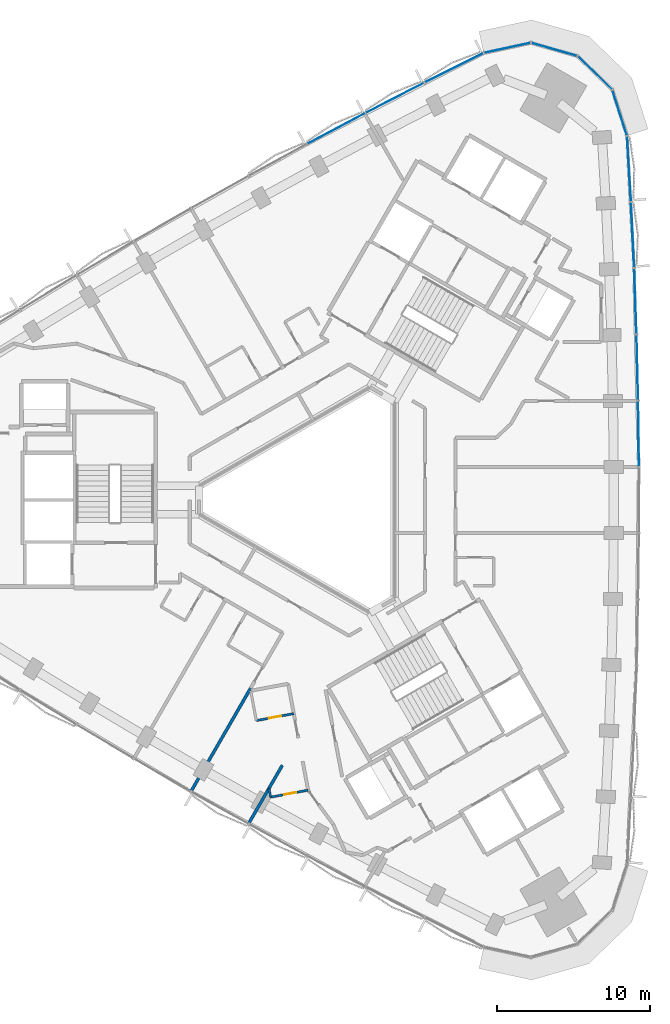
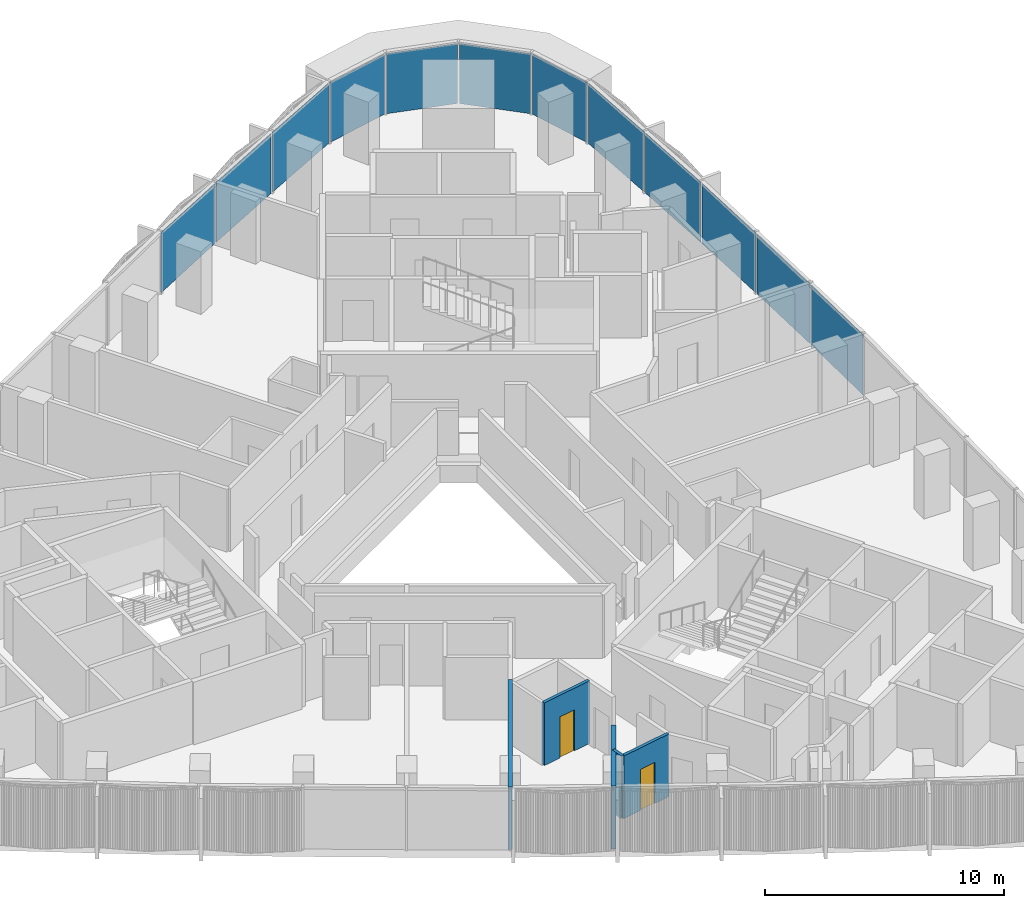
# One storey, part 7 of 15: 12 plates, 5 walls, 2 doors, 2 openings, 2 elements without a shape of their own.
"""IFC4 building model written with IfcOpenShell, lengths in metres."""

from ifc_helpers import new_model, si_unit, direction, frame, frame_2d, origin, origin_2d, place, context, subcontext, project, spatial, rectangle, extrude, material, layer, layer_set, type_object, element, fill, aggregate, save


model = new_model("IFC4")

# Units and contexts
model_context = context("Model", 3, precision=1e-05, world=origin(), true_north=direction((0.0, 1.0)))
body_context = subcontext(model_context, "Body", "Model", "MODEL_VIEW")
ifc_project = project(units=[si_unit("LENGTHUNIT", "METRE"), si_unit("AREAUNIT", "SQUARE_METRE"), si_unit("VOLUMEUNIT", "CUBIC_METRE"), si_unit("PLANEANGLEUNIT", "RADIAN"), si_unit("MASSUNIT", "GRAM", prefix="KILO")], contexts=[model_context])

# Site, building, storey
site_placement = place(None, origin())
site = spatial("IfcSite", under=ifc_project, at=site_placement, CompositionType="ELEMENT")
building_placement = place(site_placement, origin())
building = spatial("IfcBuilding", under=site, at=building_placement, Name="Tamra Quay Hotel Tower", CompositionType="ELEMENT")
storey_placement = place(building_placement, frame((0.0, 0.0, 136.0)))
storey = spatial("IfcBuildingStorey", under=building, at=storey_placement, Name="L33", CompositionType="ELEMENT", Elevation=136.0)

# Curtain wall, plates
ifc_material_1 = material(Name="Aluminium 6063 anodised dark grey", Category="aluminium")
curtain_wall_type_1 = type_object("IfcCurtainWallType", Name="CW1 CURTAIN WALL", PredefinedType="NOTDEFINED", material=ifc_material_1)
curtain_wall_1_placement = place(storey_placement, origin())
curtain_wall_1 = element("IfcCurtainWall", 1, at=curtain_wall_1_placement, inside=storey, type_object=curtain_wall_type_1, Name="CW1 east face L33", PredefinedType="NOTDEFINED")
ifc_material_2 = material(Name="Glass clear laminated low-iron", Category="glass")
ifc_layer_1 = layer(ifc_material_2, 0.031982421875)
ifc_layer_set_1 = layer_set([ifc_layer_1], Name="GLASS PANEL CW1 Z3")
plate_type_1 = type_object("IfcPlateType", Name="GLASS PANEL CW1 Z3", PredefinedType="CURTAIN_PANEL", material=ifc_layer_set_1)
plate_1_placement = place(storey_placement, frame((20.793701171875, 4.342041015625, 0.0), z_axis=(0.0, 0.0, 1.0), x_axis=(-0.011957026787, 0.9999285122, 0.0)))
plate_1 = element("IfcPlate", 2, at=plate_1_placement, type_object=plate_type_1, Name="CW1 glass L33.E.7", PredefinedType="CURTAIN_PANEL", context=body_context, shape_type="SweptSolid", body=[
    extrude(rectangle(XDim=4.24169921875, YDim=0.031982421875, at=origin_2d()), origin(), (0.0, 0.0, 1.0), 3.06005859375),
])
plate_2_placement = place(storey_placement, frame((20.716064453125, 8.683349609375, 0.0), z_axis=(0.0, 0.0, 1.0), x_axis=(-0.023896183128, 0.999714445445, 0.0)))
plate_2 = element("IfcPlate", 3, at=plate_2_placement, type_object=plate_type_1, Name="CW1 glass L33.E.8", PredefinedType="CURTAIN_PANEL", context=body_context, shape_type="SweptSolid", body=[
    extrude(rectangle(XDim=4.24267578125, YDim=0.031982421875, at=origin_2d()), origin(), (0.0, 0.0, 1.0), 3.06005859375),
])
plate_3_placement = place(storey_placement, frame((20.586181640625, 13.02392578125, 0.0), z_axis=(0.0, 0.0, 1.0), x_axis=(-0.03584493651, 0.999357363773, 0.0)))
plate_3 = element("IfcPlate", 4, at=plate_3_placement, type_object=plate_type_1, Name="CW1 glass L33.E.9", PredefinedType="CURTAIN_PANEL", context=body_context, shape_type="SweptSolid", body=[
    extrude(rectangle(XDim=4.24267578125, YDim=0.031982421875, at=origin_2d()), origin(), (0.0, 0.0, 1.0), 3.06005859375),
])
plate_4_placement = place(storey_placement, frame((20.40478515625, 17.3623046875, 0.0), z_axis=(0.0, 0.0, 1.0), x_axis=(-0.04774710654, 0.998859456489, 0.0)))
plate_4 = element("IfcPlate", 5, at=plate_4_placement, type_object=plate_type_1, Name="CW1 glass L33.E.10", PredefinedType="CURTAIN_PANEL", context=body_context, shape_type="SweptSolid", body=[
    extrude(rectangle(XDim=4.24169921875, YDim=0.031982421875, at=origin_2d()), origin(), (0.0, 0.0, 1.0), 3.06005859375),
])
plate_5_placement = place(storey_placement, frame((20.171630859375, 21.697998046875, 0.0), z_axis=(0.0, 0.0, 1.0), x_axis=(-0.05964191564, 0.998219836458, 0.0)))
plate_5 = element("IfcPlate", 6, at=plate_5_placement, type_object=plate_type_1, Name="CW1 glass L33.E.11", PredefinedType="CURTAIN_PANEL", context=body_context, shape_type="SweptSolid", body=[
    extrude(rectangle(XDim=4.2421875, YDim=0.031982421875, at=origin_2d()), origin(), (0.0, 0.0, 1.0), 3.06005859375),
])
plate_6_placement = place(storey_placement, frame((19.55712890625, 25.374267578125, 0.0), z_axis=(0.0, 0.0, 1.0), x_axis=(-0.305914777883, 0.952058899792, 0.0)))
plate_6 = element("IfcPlate", 7, at=plate_6_placement, type_object=plate_type_1, Name="CW1 glass L33.E.12", PredefinedType="CURTAIN_PANEL", context=body_context, shape_type="SweptSolid", body=[
    extrude(rectangle(XDim=3.0703125, YDim=0.031982421875, at=origin_2d()), origin(), (0.0, 0.0, 1.0), 3.06005859375),
])
plate_7_placement = place(storey_placement, frame((17.93310546875, 27.98583984375, 0.0), z_axis=(0.0, 0.0, 1.0), x_axis=(-0.718584480635, 0.695439676888, 0.0)))
plate_7 = element("IfcPlate", 8, at=plate_7_placement, type_object=plate_type_1, Name="CW1 glass L33.E.13", PredefinedType="CURTAIN_PANEL", context=body_context, shape_type="SweptSolid", body=[
    extrude(rectangle(XDim=3.0703125, YDim=0.031982421875, at=origin_2d()), origin(), (0.0, 0.0, 1.0), 3.06005859375),
])
plate_8_placement = place(storey_placement, frame((15.269775390625, 29.5234375, 0.0), z_axis=(0.0, 0.0, 1.0), x_axis=(-0.961560667302, 0.274592576551, 0.0)))
plate_8 = element("IfcPlate", 9, at=plate_8_placement, type_object=plate_type_1, Name="CW1 glass L33.E.14", PredefinedType="CURTAIN_PANEL", context=body_context, shape_type="SweptSolid", body=[
    extrude(rectangle(XDim=3.0703125, YDim=0.031982421875, at=origin_2d()), origin(), (0.0, 0.0, 1.0), 3.06005859375),
])
plate_9_placement = place(storey_placement, frame((12.196044921875, 29.624267578125, 0.0), z_axis=(0.0, 0.0, 1.0), x_axis=(-0.97746458206, -0.211099480856, 0.0)))
plate_9 = element("IfcPlate", 10, at=plate_9_placement, type_object=plate_type_1, Name="CW1 glass L33.E.15", PredefinedType="CURTAIN_PANEL", context=body_context, shape_type="SweptSolid", body=[
    extrude(rectangle(XDim=3.0703125, YDim=0.031982421875, at=origin_2d()), origin(), (0.0, 0.0, 1.0), 3.06005859375),
])
aggregate(curtain_wall_1, [plate_1, plate_2, plate_3, plate_4, plate_5, plate_6, plate_7, plate_8, plate_9])

curtain_wall_type_2 = type_object("IfcCurtainWallType", Name="CW2 CURTAIN WALL", PredefinedType="NOTDEFINED", material=ifc_material_1)
curtain_wall_2_placement = place(storey_placement, origin())
curtain_wall_2 = element("IfcCurtainWall", 11, at=curtain_wall_2_placement, inside=storey, type_object=curtain_wall_type_2, Name="CW2 north-west face L33", PredefinedType="NOTDEFINED")
ifc_layer_2 = layer(ifc_material_2, 0.031982421875)
ifc_layer_set_2 = layer_set([ifc_layer_2], Name="GLASS PANEL CW2 Z3")
plate_type_2 = type_object("IfcPlateType", Name="GLASS PANEL CW2 Z3", PredefinedType="CURTAIN_PANEL", material=ifc_layer_set_2)
plate_10_placement = place(storey_placement, frame((8.705078125, 28.318115234375, 0.0), z_axis=(0.0, 0.0, 1.0), x_axis=(-0.894304694754, -0.447458504155, 0.0)))
plate_10 = element("IfcPlate", 12, at=plate_10_placement, type_object=plate_type_2, Name="CW2 glass L33.NW.1", PredefinedType="CURTAIN_PANEL", context=body_context, shape_type="SweptSolid", body=[
    extrude(rectangle(XDim=4.2421875, YDim=0.031982421875, at=origin_2d()), origin(), (0.0, 0.0, 1.0), 3.06005859375),
])
plate_11_placement = place(storey_placement, frame((4.833740234375, 26.352294921875, 0.0), z_axis=(0.0, 0.0, 1.0), x_axis=(-0.8889112174, -0.458079521023, 0.0)))
plate_11 = element("IfcPlate", 13, at=plate_11_placement, type_object=plate_type_2, Name="CW2 glass L33.NW.2", PredefinedType="CURTAIN_PANEL", context=body_context, shape_type="SweptSolid", body=[
    extrude(rectangle(XDim=4.24169921875, YDim=0.031982421875, at=origin_2d()), origin(), (0.0, 0.0, 1.0), 3.06005859375),
])
plate_12_placement = place(storey_placement, frame((0.986083984375, 24.34033203125, 0.0), z_axis=(0.0, 0.0, 1.0), x_axis=(-0.883391332741, -0.468636056272, 0.0)))
plate_12 = element("IfcPlate", 14, at=plate_12_placement, type_object=plate_type_2, Name="CW2 glass L33.NW.3", PredefinedType="CURTAIN_PANEL", context=body_context, shape_type="SweptSolid", body=[
    extrude(rectangle(XDim=4.24267578125, YDim=0.031982421875, at=origin_2d()), origin(), (0.0, 0.0, 1.0), 3.06005859375),
])
aggregate(curtain_wall_2, [plate_10, plate_11, plate_12])

# Wall, opening, door
ifc_material_3 = material(Name="Partition en-suite wall")
ifc_layer_3 = layer(ifc_material_3, 0.14990234375)
ifc_layer_set_3 = layer_set([ifc_layer_3], Name="Partition en-suite wall")
wall_type_1 = type_object("IfcWallType", Name="Partition en-suite wall", PredefinedType="PARTITIONING", material=ifc_layer_set_3)
wall_1_placement = place(storey_placement, frame((-4.25390625, -14.45703125, 0.0), z_axis=(0.0, 0.0, 1.0), x_axis=(0.98293843799, 0.183934844773, 0.0)))
wall_1 = element("IfcWall", 15, at=wall_1_placement, inside=storey, type_object=wall_type_1, Name="W-E", PredefinedType="PARTITIONING", context=body_context, shape_type="SweptSolid", body=[
    extrude(rectangle(XDim=2.500732421875, YDim=0.14990234375, at=frame_2d((1.25048828125, 0.0))), origin(), (0.0, 0.0, 1.0), 3.199951171875),
])
opening_1_placement = place(wall_1_placement, frame((0.850341796875, 0.0, 0.0)))
opening_1 = element("IfcOpeningElement", 16, at=opening_1_placement, cuts=wall_1, Name="Opening L33-D019", PredefinedType="OPENING", context=body_context, shape_type="SweptSolid", body=[
    extrude(rectangle(XDim=0.800048828125, YDim=2.10009765625, at=frame_2d((0.39990234375, 1.050048828125))), frame((0.0, 0.0849609375, 0.0), z_axis=(0.0, -1.0, 0.0), x_axis=(1.0, 0.0, 0.0)), (0.0, 0.0, 1.0), 0.169921875),
])
ifc_material_4 = material(Name="Door en-suite 800x2100")
door_type = type_object("IfcDoorType", Name="Door en-suite 800x2100", OperationType="NOTDEFINED", PredefinedType="DOOR", material=ifc_material_4)
door_1_placement = place(opening_1_placement, frame((0.800048828125, 0.0, 0.0), z_axis=(0.0, 0.0, 1.0), x_axis=(-1.0, 0.0, 0.0)))
door_1 = element("IfcDoor", 17, at=door_1_placement, inside=storey, type_object=door_type, Name="L33-D019", OperationType="SINGLE_SWING_LEFT", OverallHeight=2.10009765625, OverallWidth=0.800048828125, PredefinedType="DOOR", context=body_context, shape_type="SweptSolid", body=[
    extrude(rectangle(XDim=0.800048828125, YDim=2.10009765625, at=frame_2d((0.39990234375, 1.050048828125))), frame((0.0, 0.02490234375, 0.0), z_axis=(0.0, -1.0, 0.0), x_axis=(1.0, 0.0, 0.0)), (0.0, 0.0, 1.0), 0.050048828125),
])
fill(opening_1, door_1)

# Wall
wall_2_placement = place(storey_placement, frame((-3.425048828125, -18.8974609375, 0.0), z_axis=(0.0, 0.0, 1.0), x_axis=(0.183861553242, -0.982952150025, 0.0)))
element("IfcWall", 18, at=wall_2_placement, inside=storey, type_object=wall_type_1, Name="W-E", PredefinedType="PARTITIONING", context=body_context, shape_type="SweptSolid", body=[
    extrude(rectangle(XDim=0.5869140625, YDim=0.14990234375, at=frame_2d((0.29345703125, 0.0))), origin(), (0.0, 0.0, 1.0), 3.199951171875),
])

# Wall, opening, door
wall_3_placement = place(storey_placement, frame((-3.31494140625, -19.47412109375, 0.0), z_axis=(0.0, 0.0, 1.0), x_axis=(0.982978173855, 0.183722371326, 0.0)))
wall_3 = element("IfcWall", 19, at=wall_3_placement, inside=storey, type_object=wall_type_1, Name="W-E", PredefinedType="PARTITIONING", context=body_context, shape_type="SweptSolid", body=[
    extrude(rectangle(XDim=2.49951171875, YDim=0.14990234375, at=frame_2d((1.249755859375, 0.0))), origin(), (0.0, 0.0, 1.0), 3.199951171875),
])
opening_2_placement = place(wall_3_placement, frame((0.91455078125, 0.0, 0.0)))
opening_2 = element("IfcOpeningElement", 20, at=opening_2_placement, cuts=wall_3, Name="Opening L33-D022", PredefinedType="OPENING", context=body_context, shape_type="SweptSolid", body=[
    extrude(rectangle(XDim=0.800048828125, YDim=2.10009765625, at=frame_2d((0.39990234375, 1.050048828125))), frame((0.0, 0.0849609375, 0.0), z_axis=(0.0, -1.0, 0.0), x_axis=(1.0, 0.0, 0.0)), (0.0, 0.0, 1.0), 0.169921875),
])
door_2_placement = place(opening_2_placement, frame((0.800048828125, 0.0, 0.0), z_axis=(0.0, 0.0, 1.0), x_axis=(-1.0, 0.0, 0.0)))
door_2 = element("IfcDoor", 21, at=door_2_placement, inside=storey, type_object=door_type, Name="L33-D022", OperationType="SINGLE_SWING_LEFT", OverallHeight=2.10009765625, OverallWidth=0.800048828125, PredefinedType="DOOR", context=body_context, shape_type="SweptSolid", body=[
    extrude(rectangle(XDim=0.800048828125, YDim=2.10009765625, at=frame_2d((0.39990234375, 1.050048828125))), frame((0.0, 0.02490234375, 0.0), z_axis=(0.0, -1.0, 0.0), x_axis=(1.0, 0.0, 0.0)), (0.0, 0.0, 1.0), 0.050048828125),
])
fill(opening_2, door_2)

# Walls
ifc_material_5 = material(Name="Partition party wall")
ifc_layer_4 = layer(ifc_material_5, 0.199951171875)
ifc_layer_set_4 = layer_set([ifc_layer_4], Name="Partition party wall")
wall_type_2 = type_object("IfcWallType", Name="Partition party wall", PredefinedType="PARTITIONING", material=ifc_layer_set_4)
wall_4_placement = place(storey_placement, frame((-8.535400390625, -19.10693359375, 0.0), z_axis=(0.0, 0.0, 1.0), x_axis=(0.500028565219, 0.866008911019, 0.0)))
element("IfcWall", 22, at=wall_4_placement, inside=storey, type_object=wall_type_2, Name="W-P", PredefinedType="PARTITIONING", context=body_context, shape_type="SweptSolid", body=[
    extrude(rectangle(XDim=7.82421875, YDim=0.199951171875, at=frame_2d((3.912109375, 0.0))), origin(), (0.0, 0.0, 1.0), 3.199951171875),
])
wall_5_placement = place(storey_placement, frame((-4.766845703125, -21.22314453125, 0.0), z_axis=(0.0, 0.0, 1.0), x_axis=(0.500305100915, 0.865849182017, 0.0)))
element("IfcWall", 23, at=wall_5_placement, inside=storey, type_object=wall_type_2, Name="W-P", PredefinedType="PARTITIONING", context=body_context, shape_type="SweptSolid", body=[
    extrude(rectangle(XDim=4.436767578125, YDim=0.199951171875, at=frame_2d((2.21826171875, 0.0))), origin(), (0.0, 0.0, 1.0), 3.199951171875),
])

save(model, "model.ifc")
